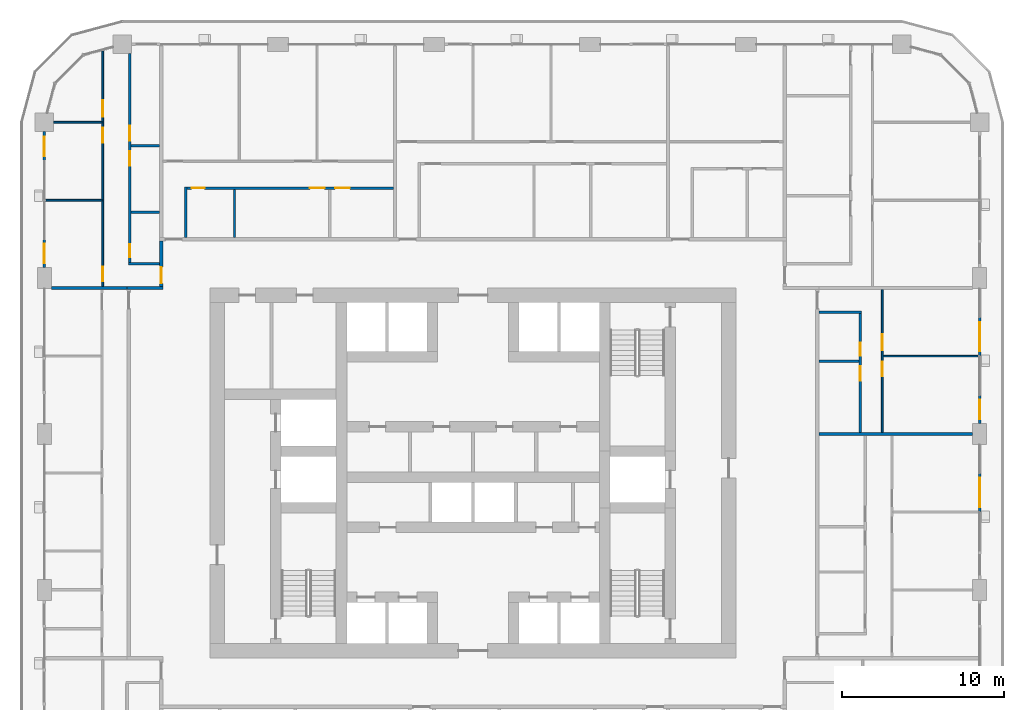
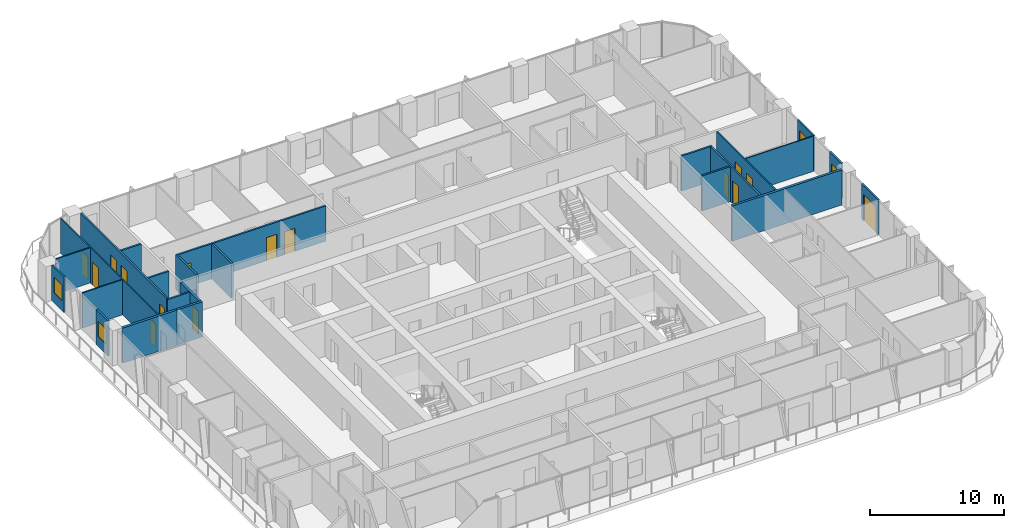
# One storey, part 13 of 21: 24 walls, 16 doors, 3 windows, 19 openings.
"""IFC4 building model written with IfcOpenShell, lengths in metres."""

from ifc_helpers import new_model, si_unit, direction, frame, frame_2d, origin, place, context, subcontext, project, spatial, rectangle, extrude, material, layer, layer_set, type_object, element, fill, save


model = new_model("IFC4")

# Units and contexts
model_context = context("Model", 3, precision=1e-05, world=origin(), true_north=direction((0.0, 1.0)))
body_context = subcontext(model_context, "Body", "Model", "MODEL_VIEW")
ifc_project = project(units=[si_unit("LENGTHUNIT", "METRE"), si_unit("AREAUNIT", "SQUARE_METRE"), si_unit("VOLUMEUNIT", "CUBIC_METRE"), si_unit("PLANEANGLEUNIT", "RADIAN"), si_unit("MASSUNIT", "GRAM", prefix="KILO")], contexts=[model_context])

# Site, building, storey
site_placement = place(None, origin())
site = spatial("IfcSite", under=ifc_project, at=site_placement, CompositionType="ELEMENT")
building_placement = place(site_placement, origin())
building = spatial("IfcBuilding", under=site, at=building_placement, Name="Madar Terraces", CompositionType="ELEMENT")
storey_placement = place(building_placement, frame((0.0, 0.0, 92.699951171875)))
storey = spatial("IfcBuildingStorey", under=building, at=storey_placement, Name="L23", CompositionType="ELEMENT", Elevation=92.699951171875)

# Wall, opening, door
ifc_material_1 = material(Name="Aluminium composite panel, black, over insulated backing", Category="aluminium")
ifc_layer_1 = layer(ifc_material_1, 0.14990234375)
ifc_layer_set_1 = layer_set([ifc_layer_1], Name="Facade bay panel 150")
wall_type_1 = type_object("IfcWallType", Name="Facade bay panel 150", PredefinedType="SOLIDWALL", material=ifc_layer_set_1)
wall_1_placement = place(storey_placement, frame((62.39990234375, 24.0, 0.0), z_axis=(0.0, 0.0, 1.0), x_axis=(0.0, 1.0, 0.0)))
wall_1 = element("IfcWall", 1, at=wall_1_placement, inside=storey, type_object=wall_type_1, Name="Facade bay panel", PredefinedType="SOLIDWALL", context=body_context, shape_type="SweptSolid", body=[
    extrude(rectangle(XDim=2.39990234375, YDim=0.14990234375, at=frame_2d((1.199951171875, 0.0))), origin(), (0.0, 0.0, 1.0), 3.199951171875),
])
opening_1_placement = place(wall_1_placement, frame((0.300048828125, 0.0, 0.0)))
opening_1 = element("IfcOpeningElement", 2, at=opening_1_placement, cuts=wall_1, Name="Opening ED1", PredefinedType="OPENING", context=body_context, shape_type="SweptSolid", body=[
    extrude(rectangle(XDim=1.800048828125, YDim=2.39990234375, at=frame_2d((0.89990234375, 1.199951171875))), frame((0.0, 0.0849609375, 0.0), z_axis=(0.0, -1.0, 0.0), x_axis=(1.0, 0.0, 0.0)), (0.0, 0.0, 1.0), 0.169921875),
])
ifc_material_2 = material(Name="Glass, clear, with black aluminium frame", Category="aluminium")
door_type_1 = type_object("IfcDoorType", Name="Balcony and terrace sliding door 1800 x 2400", OperationType="SLIDING_TO_LEFT", PredefinedType="DOOR", material=ifc_material_2)
door_1_placement = place(opening_1_placement, origin())
door_1 = element("IfcDoor", 3, at=door_1_placement, inside=storey, type_object=door_type_1, Name="Balcony door", OperationType="SLIDING_TO_RIGHT", OverallHeight=2.39990234375, OverallWidth=1.800048828125, PredefinedType="DOOR", context=body_context, shape_type="SweptSolid", body=[
    extrude(rectangle(XDim=1.800048828125, YDim=2.39990234375, at=frame_2d((0.89990234375, 1.199951171875))), frame((0.0, 0.02490234375, 0.0), z_axis=(0.0, -1.0, 0.0), x_axis=(1.0, 0.0, 0.0)), (0.0, 0.0, 1.0), 0.050048828125),
])
fill(opening_1, door_1)

# Wall, opening, window
wall_2_placement = place(storey_placement, frame((62.39990234375, 29.449951171875, 0.0), z_axis=(0.0, 0.0, 1.0), x_axis=(0.0, 1.0, 0.0)))
wall_2 = element("IfcWall", 4, at=wall_2_placement, inside=storey, type_object=wall_type_1, Name="Facade bay panel", PredefinedType="SOLIDWALL", context=body_context, shape_type="SweptSolid", body=[
    extrude(rectangle(XDim=1.75, YDim=0.14990234375, at=frame_2d((0.875, 0.0))), origin(), (0.0, 0.0, 1.0), 3.199951171875),
])
opening_2_placement = place(wall_2_placement, frame((0.27490234375, 0.0, 0.89990234375)))
opening_2 = element("IfcOpeningElement", 5, at=opening_2_placement, cuts=wall_2, Name="Opening W1", PredefinedType="OPENING", context=body_context, shape_type="SweptSolid", body=[
    extrude(rectangle(XDim=1.199951171875, YDim=1.39990234375, at=frame_2d((0.60009765625, 0.699951171875))), frame((0.0, 0.0849609375, 0.0), z_axis=(0.0, -1.0, 0.0), x_axis=(1.0, 0.0, 0.0)), (0.0, 0.0, 1.0), 0.169921875),
])
ifc_material_3 = material(Name="Glass, clear, with black aluminium frame", Category="aluminium")
window_type = type_object("IfcWindowType", Name="Vent window 1200 x 1400", PartitioningType="SINGLE_PANEL", PredefinedType="WINDOW", material=ifc_material_3)
window_1_placement = place(opening_2_placement, origin())
window_1 = element("IfcWindow", 6, at=window_1_placement, inside=storey, type_object=window_type, Name="Operable vent window", OverallHeight=1.39990234375, OverallWidth=1.199951171875, PartitioningType="SINGLE_PANEL", PredefinedType="WINDOW", context=body_context, shape_type="SweptSolid", body=[
    extrude(rectangle(XDim=1.199951171875, YDim=1.39990234375, at=frame_2d((0.60009765625, 0.699951171875))), frame((0.0, 0.030029296875, 0.0), z_axis=(0.0, -1.0, 0.0), x_axis=(1.0, 0.0, 0.0)), (0.0, 0.0, 1.0), 0.06005859375),
])
fill(opening_2, window_1)

# Wall, opening, door
wall_3_placement = place(storey_placement, frame((62.39990234375, 33.60009765625, 0.0), z_axis=(0.0, 0.0, 1.0), x_axis=(0.0, 1.0, 0.0)))
wall_3 = element("IfcWall", 7, at=wall_3_placement, inside=storey, type_object=wall_type_1, Name="Facade bay panel", PredefinedType="SOLIDWALL", context=body_context, shape_type="SweptSolid", body=[
    extrude(rectangle(XDim=2.39990234375, YDim=0.14990234375, at=frame_2d((1.199951171875, 0.0))), origin(), (0.0, 0.0, 1.0), 3.199951171875),
])
opening_3_placement = place(wall_3_placement, frame((0.300048828125, 0.0, 0.0)))
opening_3 = element("IfcOpeningElement", 8, at=opening_3_placement, cuts=wall_3, Name="Opening ED1", PredefinedType="OPENING", context=body_context, shape_type="SweptSolid", body=[
    extrude(rectangle(XDim=1.800048828125, YDim=2.39990234375, at=frame_2d((0.89990234375, 1.199951171875))), frame((0.0, 0.0849609375, 0.0), z_axis=(0.0, -1.0, 0.0), x_axis=(1.0, 0.0, 0.0)), (0.0, 0.0, 1.0), 0.169921875),
])
door_2_placement = place(opening_3_placement, origin())
door_2 = element("IfcDoor", 9, at=door_2_placement, inside=storey, type_object=door_type_1, Name="Balcony door", OperationType="SLIDING_TO_LEFT", OverallHeight=2.39990234375, OverallWidth=1.800048828125, PredefinedType="DOOR", context=body_context, shape_type="SweptSolid", body=[
    extrude(rectangle(XDim=1.800048828125, YDim=2.39990234375, at=frame_2d((0.89990234375, 1.199951171875))), frame((0.0, 0.02490234375, 0.0), z_axis=(0.0, -1.0, 0.0), x_axis=(1.0, 0.0, 0.0)), (0.0, 0.0, 1.0), 0.050048828125),
])
fill(opening_3, door_2)

# Wall, opening, window
wall_4_placement = place(storey_placement, frame((4.800048828125, 47.425048828125, 0.0), z_axis=(0.0, 0.0, 1.0), x_axis=(0.0, -1.0, 0.0)))
wall_4 = element("IfcWall", 10, at=wall_4_placement, inside=storey, type_object=wall_type_1, Name="Facade bay panel", PredefinedType="SOLIDWALL", context=body_context, shape_type="SweptSolid", body=[
    extrude(rectangle(XDim=1.824951171875, YDim=0.14990234375, at=frame_2d((0.91259765625, 0.0))), origin(), (0.0, 0.0, 1.0), 3.199951171875),
])
opening_4_placement = place(wall_4_placement, frame((0.3125, 0.0, 0.89990234375)))
opening_4 = element("IfcOpeningElement", 11, at=opening_4_placement, cuts=wall_4, Name="Opening W1", PredefinedType="OPENING", context=body_context, shape_type="SweptSolid", body=[
    extrude(rectangle(XDim=1.199951171875, YDim=1.39990234375, at=frame_2d((0.60009765625, 0.699951171875))), frame((0.0, 0.0849609375, 0.0), z_axis=(0.0, -1.0, 0.0), x_axis=(1.0, 0.0, 0.0)), (0.0, 0.0, 1.0), 0.169921875),
])
window_2_placement = place(opening_4_placement, origin())
window_2 = element("IfcWindow", 12, at=window_2_placement, inside=storey, type_object=window_type, Name="Operable vent window", OverallHeight=1.39990234375, OverallWidth=1.199951171875, PartitioningType="SINGLE_PANEL", PredefinedType="WINDOW", context=body_context, shape_type="SweptSolid", body=[
    extrude(rectangle(XDim=1.199951171875, YDim=1.39990234375, at=frame_2d((0.60009765625, 0.699951171875))), frame((0.0, 0.030029296875, 0.0), z_axis=(0.0, -1.0, 0.0), x_axis=(1.0, 0.0, 0.0)), (0.0, 0.0, 1.0), 0.06005859375),
])
fill(opening_4, window_2)

wall_5_placement = place(storey_placement, frame((4.800048828125, 40.800048828125, 0.0), z_axis=(0.0, 0.0, 1.0), x_axis=(0.0, -1.0, 0.0)))
wall_5 = element("IfcWall", 13, at=wall_5_placement, inside=storey, type_object=wall_type_1, Name="Facade bay panel", PredefinedType="SOLIDWALL", context=body_context, shape_type="SweptSolid", body=[
    extrude(rectangle(XDim=1.75, YDim=0.14990234375, at=frame_2d((0.875, 0.0))), origin(), (0.0, 0.0, 1.0), 3.199951171875),
])
opening_5_placement = place(wall_5_placement, frame((0.27490234375, 0.0, 0.89990234375)))
opening_5 = element("IfcOpeningElement", 14, at=opening_5_placement, cuts=wall_5, Name="Opening W1", PredefinedType="OPENING", context=body_context, shape_type="SweptSolid", body=[
    extrude(rectangle(XDim=1.199951171875, YDim=1.39990234375, at=frame_2d((0.60009765625, 0.699951171875))), frame((0.0, 0.0849609375, 0.0), z_axis=(0.0, -1.0, 0.0), x_axis=(1.0, 0.0, 0.0)), (0.0, 0.0, 1.0), 0.169921875),
])
window_3_placement = place(opening_5_placement, origin())
window_3 = element("IfcWindow", 15, at=window_3_placement, inside=storey, type_object=window_type, Name="Operable vent window", OverallHeight=1.39990234375, OverallWidth=1.199951171875, PartitioningType="SINGLE_PANEL", PredefinedType="WINDOW", context=body_context, shape_type="SweptSolid", body=[
    extrude(rectangle(XDim=1.199951171875, YDim=1.39990234375, at=frame_2d((0.60009765625, 0.699951171875))), frame((0.0, 0.030029296875, 0.0), z_axis=(0.0, -1.0, 0.0), x_axis=(1.0, 0.0, 0.0)), (0.0, 0.0, 1.0), 0.06005859375),
])
fill(opening_5, window_3)

# Wall
ifc_material_4 = material(Name="Gypsum board on steel studs", Category="steel")
ifc_layer_2 = layer(ifc_material_4, 0.10009765625)
ifc_layer_set_2 = layer_set([ifc_layer_2], Name="Flat partition 100")
wall_type_2 = type_object("IfcWallType", Name="Flat partition 100", PredefinedType="PARTITIONING", material=ifc_layer_set_2)
wall_6_placement = place(storey_placement, frame((56.449951171875, 33.60009765625, 0.0), z_axis=(0.0, 0.0, 1.0), x_axis=(1.0, 0.0, 0.0)))
element("IfcWall", 16, at=wall_6_placement, inside=storey, type_object=wall_type_2, Name="Flat partition 100", PredefinedType="PARTITIONING", context=body_context, shape_type="SweptSolid", body=[
    extrude(rectangle(XDim=5.85009765625, YDim=0.10009765625, at=frame_2d((2.925048828125, 0.0))), origin(), (0.0, 0.0, 1.0), 3.199951171875),
])

# Wall, openings, doors
wall_7_placement = place(storey_placement, frame((56.39990234375, 37.699951171875, 0.0), z_axis=(0.0, 0.0, 1.0), x_axis=(0.0, -1.0, 0.0)))
wall_7 = element("IfcWall", 17, at=wall_7_placement, inside=storey, type_object=wall_type_2, Name="Flat partition 100", PredefinedType="PARTITIONING", context=body_context, shape_type="SweptSolid", body=[
    extrude(rectangle(XDim=8.800048828125, YDim=0.10009765625, at=frame_2d((4.39990234375, 0.0))), origin(), (0.0, 0.0, 1.0), 3.199951171875),
])
opening_6_placement = place(wall_7_placement, frame((2.75, 0.0, 0.0)))
opening_6 = element("IfcOpeningElement", 18, at=opening_6_placement, cuts=wall_7, Name="Opening D3", PredefinedType="OPENING", context=body_context, shape_type="SweptSolid", body=[
    extrude(rectangle(XDim=1.0, YDim=2.10009765625, at=frame_2d((0.5, 1.050048828125))), frame((0.0, 0.06005859375, 0.0), z_axis=(0.0, -1.0, 0.0), x_axis=(1.0, 0.0, 0.0)), (0.0, 0.0, 1.0), 0.1201171875),
])
opening_7_placement = place(wall_7_placement, frame((4.449951171875, 0.0, 0.0)))
opening_7 = element("IfcOpeningElement", 19, at=opening_7_placement, cuts=wall_7, Name="Opening D2", PredefinedType="OPENING", context=body_context, shape_type="SweptSolid", body=[
    extrude(rectangle(XDim=0.89990234375, YDim=2.10009765625, at=frame_2d((0.449951171875, 1.050048828125))), frame((0.0, 0.06005859375, 0.0), z_axis=(0.0, -1.0, 0.0), x_axis=(1.0, 0.0, 0.0)), (0.0, 0.0, 1.0), 0.1201171875),
])
ifc_material_5 = material(Name="Timber door leaf", Category="wood")
door_type_2 = type_object("IfcDoorType", Name="Flat living room door 1000", OperationType="NOTDEFINED", PredefinedType="DOOR", material=ifc_material_5)
door_3_placement = place(opening_6_placement, origin())
door_3 = element("IfcDoor", 20, at=door_3_placement, inside=storey, type_object=door_type_2, Name="Flat living room door 1000", OperationType="SINGLE_SWING_RIGHT", OverallHeight=2.10009765625, OverallWidth=1.0, PredefinedType="DOOR", context=body_context, shape_type="SweptSolid", body=[
    extrude(rectangle(XDim=1.0, YDim=2.10009765625, at=frame_2d((0.5, 1.050048828125))), frame((0.0, 0.02490234375, 0.0), z_axis=(0.0, -1.0, 0.0), x_axis=(1.0, 0.0, 0.0)), (0.0, 0.0, 1.0), 0.050048828125),
])
fill(opening_6, door_3)
ifc_material_6 = material(Name="Timber door leaf", Category="wood")
door_type_3 = type_object("IfcDoorType", Name="Flat room door 900", OperationType="NOTDEFINED", PredefinedType="DOOR", material=ifc_material_6)
door_4_placement = place(opening_7_placement, origin())
door_4 = element("IfcDoor", 21, at=door_4_placement, inside=storey, type_object=door_type_3, Name="Flat room door 900", OperationType="SINGLE_SWING_LEFT", OverallHeight=2.10009765625, OverallWidth=0.89990234375, PredefinedType="DOOR", context=body_context, shape_type="SweptSolid", body=[
    extrude(rectangle(XDim=0.89990234375, YDim=2.10009765625, at=frame_2d((0.449951171875, 1.050048828125))), frame((0.0, 0.02490234375, 0.0), z_axis=(0.0, -1.0, 0.0), x_axis=(1.0, 0.0, 0.0)), (0.0, 0.0, 1.0), 0.050048828125),
])
fill(opening_7, door_4)

# Walls
wall_8_placement = place(storey_placement, frame((8.35009765625, 43.199951171875, 0.0), z_axis=(0.0, 0.0, 1.0), x_axis=(-1.0, 0.0, 0.0)))
element("IfcWall", 22, at=wall_8_placement, inside=storey, type_object=wall_type_2, Name="Flat partition 100", PredefinedType="PARTITIONING", context=body_context, shape_type="SweptSolid", body=[
    extrude(rectangle(XDim=3.4501953125, YDim=0.10009765625, at=frame_2d((1.72509765625, 0.0))), origin(), (0.0, 0.0, 1.0), 3.199951171875),
])
wall_9_placement = place(storey_placement, frame((8.35009765625, 48.0, 0.0), z_axis=(0.0, 0.0, 1.0), x_axis=(-1.0, 0.0, 0.0)))
element("IfcWall", 23, at=wall_9_placement, inside=storey, type_object=wall_type_2, Name="Flat partition 100", PredefinedType="PARTITIONING", context=body_context, shape_type="SweptSolid", body=[
    extrude(rectangle(XDim=2.97509765625, YDim=0.10009765625, at=frame_2d((1.487548828125, 0.0))), origin(), (0.0, 0.0, 1.0), 3.199951171875),
])

# Wall, openings, doors
wall_10_placement = place(storey_placement, frame((8.39990234375, 37.89990234375, 0.0), z_axis=(0.0, 0.0, 1.0), x_axis=(0.0, 1.0, 0.0)))
wall_10 = element("IfcWall", 24, at=wall_10_placement, inside=storey, type_object=wall_type_2, Name="Flat partition 100", PredefinedType="PARTITIONING", context=body_context, shape_type="SweptSolid", body=[
    extrude(rectangle(XDim=14.478515625, YDim=0.10009765625, at=frame_2d((7.2392578125, 0.0))), origin(), (0.0, 0.0, 1.0), 3.199951171875),
])
opening_8_placement = place(wall_10_placement, frame((0.300048828125, 0.0, 0.0)))
opening_8 = element("IfcOpeningElement", 25, at=opening_8_placement, cuts=wall_10, Name="Opening D2", PredefinedType="OPENING", context=body_context, shape_type="SweptSolid", body=[
    extrude(rectangle(XDim=0.89990234375, YDim=2.10009765625, at=frame_2d((0.449951171875, 1.050048828125))), frame((0.0, 0.06005859375, 0.0), z_axis=(0.0, -1.0, 0.0), x_axis=(1.0, 0.0, 0.0)), (0.0, 0.0, 1.0), 0.1201171875),
])
opening_9_placement = place(wall_10_placement, frame((8.85009765625, 0.0, 0.0)))
opening_9 = element("IfcOpeningElement", 26, at=opening_9_placement, cuts=wall_10, Name="Opening D2", PredefinedType="OPENING", context=body_context, shape_type="SweptSolid", body=[
    extrude(rectangle(XDim=0.89990234375, YDim=2.10009765625, at=frame_2d((0.449951171875, 1.050048828125))), frame((0.0, 0.06005859375, 0.0), z_axis=(0.0, -1.0, 0.0), x_axis=(1.0, 0.0, 0.0)), (0.0, 0.0, 1.0), 0.1201171875),
])
opening_10_placement = place(wall_10_placement, frame((10.449951171875, 0.0, 0.0)))
opening_10 = element("IfcOpeningElement", 27, at=opening_10_placement, cuts=wall_10, Name="Opening D3", PredefinedType="OPENING", context=body_context, shape_type="SweptSolid", body=[
    extrude(rectangle(XDim=1.0, YDim=2.10009765625, at=frame_2d((0.5, 1.050048828125))), frame((0.0, 0.06005859375, 0.0), z_axis=(0.0, -1.0, 0.0), x_axis=(1.0, 0.0, 0.0)), (0.0, 0.0, 1.0), 0.1201171875),
])
door_5_placement = place(opening_10_placement, origin())
door_5 = element("IfcDoor", 28, at=door_5_placement, inside=storey, type_object=door_type_2, Name="Flat living room door 1000", OperationType="SINGLE_SWING_LEFT", OverallHeight=2.10009765625, OverallWidth=1.0, PredefinedType="DOOR", context=body_context, shape_type="SweptSolid", body=[
    extrude(rectangle(XDim=1.0, YDim=2.10009765625, at=frame_2d((0.5, 1.050048828125))), frame((0.0, 0.02490234375, 0.0), z_axis=(0.0, -1.0, 0.0), x_axis=(1.0, 0.0, 0.0)), (0.0, 0.0, 1.0), 0.050048828125),
])
fill(opening_10, door_5)
door_6_placement = place(opening_8_placement, origin())
door_6 = element("IfcDoor", 29, at=door_6_placement, inside=storey, type_object=door_type_3, Name="Flat room door 900", OperationType="SINGLE_SWING_LEFT", OverallHeight=2.10009765625, OverallWidth=0.89990234375, PredefinedType="DOOR", context=body_context, shape_type="SweptSolid", body=[
    extrude(rectangle(XDim=0.89990234375, YDim=2.10009765625, at=frame_2d((0.449951171875, 1.050048828125))), frame((0.0, 0.02490234375, 0.0), z_axis=(0.0, -1.0, 0.0), x_axis=(1.0, 0.0, 0.0)), (0.0, 0.0, 1.0), 0.050048828125),
])
fill(opening_8, door_6)
door_7_placement = place(opening_9_placement, origin())
door_7 = element("IfcDoor", 30, at=door_7_placement, inside=storey, type_object=door_type_3, Name="Flat room door 900", OperationType="SINGLE_SWING_RIGHT", OverallHeight=2.10009765625, OverallWidth=0.89990234375, PredefinedType="DOOR", context=body_context, shape_type="SweptSolid", body=[
    extrude(rectangle(XDim=0.89990234375, YDim=2.10009765625, at=frame_2d((0.449951171875, 1.050048828125))), frame((0.0, 0.02490234375, 0.0), z_axis=(0.0, -1.0, 0.0), x_axis=(1.0, 0.0, 0.0)), (0.0, 0.0, 1.0), 0.050048828125),
])
fill(opening_9, door_7)

# Wall, opening, door
ifc_material_7 = material(Name="Lightweight blockwork", Category="masonry")
ifc_layer_3 = layer(ifc_material_7, 0.199951171875)
ifc_layer_set_3 = layer_set([ifc_layer_3], Name="Flat party and entrance wall 200")
wall_type_3 = type_object("IfcWallType", Name="Flat party and entrance wall 200", PredefinedType="PARTITIONING", material=ifc_layer_set_3)
wall_11_placement = place(storey_placement, frame((12.0, 37.89990234375, 0.0), z_axis=(0.0, 0.0, 1.0), x_axis=(0.0, 1.0, 0.0)))
wall_11 = element("IfcWall", 31, at=wall_11_placement, inside=storey, type_object=wall_type_3, Name="Flat party and entrance wall 200", PredefinedType="PARTITIONING", context=body_context, shape_type="SweptSolid", body=[
    extrude(rectangle(XDim=2.800048828125, YDim=0.199951171875, at=frame_2d((1.39990234375, 0.0))), origin(), (0.0, 0.0, 1.0), 3.199951171875),
])
opening_11_placement = place(wall_11_placement, frame((0.175048828125, 0.0, 0.0)))
opening_11 = element("IfcOpeningElement", 32, at=opening_11_placement, cuts=wall_11, Name="Opening D1", PredefinedType="OPENING", context=body_context, shape_type="SweptSolid", body=[
    extrude(rectangle(XDim=1.0, YDim=2.10009765625, at=frame_2d((0.5, 1.050048828125))), frame((0.0, 0.10986328125, 0.0), z_axis=(0.0, -1.0, 0.0), x_axis=(1.0, 0.0, 0.0)), (0.0, 0.0, 1.0), 0.219970703125),
])
ifc_material_8 = material(Name="Timber fire door leaf", Category="wood")
door_type_4 = type_object("IfcDoorType", Name="Flat entrance door 1000 FD30S", OperationType="NOTDEFINED", PredefinedType="DOOR", material=ifc_material_8)
door_8_placement = place(opening_11_placement, origin())
door_8 = element("IfcDoor", 33, at=door_8_placement, inside=storey, type_object=door_type_4, Name="Flat entrance door 1000 FD30S", OperationType="SINGLE_SWING_LEFT", OverallHeight=2.10009765625, OverallWidth=1.0, PredefinedType="DOOR", context=body_context, shape_type="SweptSolid", body=[
    extrude(rectangle(XDim=1.0, YDim=2.10009765625, at=frame_2d((0.5, 1.050048828125))), frame((0.0, 0.02490234375, 0.0), z_axis=(0.0, -1.0, 0.0), x_axis=(1.0, 0.0, 0.0)), (0.0, 0.0, 1.0), 0.050048828125),
])
fill(opening_11, door_8)

# Walls
wall_12_placement = place(storey_placement, frame((12.10009765625, 37.800048828125, 0.0), z_axis=(0.0, 0.0, 1.0), x_axis=(-1.0, 0.0, 0.0)))
element("IfcWall", 34, at=wall_12_placement, inside=storey, type_object=wall_type_3, Name="Flat party and entrance wall 200", PredefinedType="PARTITIONING", context=body_context, shape_type="SweptSolid", body=[
    extrude(rectangle(XDim=2.2001953125, YDim=0.199951171875, at=frame_2d((1.10009765625, 0.0))), origin(), (0.0, 0.0, 1.0), 3.199951171875),
])
wall_13_placement = place(storey_placement, frame((52.5, 28.800048828125, 0.0), z_axis=(0.0, 0.0, 1.0), x_axis=(1.0, 0.0, 0.0)))
element("IfcWall", 35, at=wall_13_placement, inside=storey, type_object=wall_type_3, Name="Flat party and entrance wall 200", PredefinedType="PARTITIONING", context=body_context, shape_type="SweptSolid", body=[
    extrude(rectangle(XDim=9.47509765625, YDim=0.199951171875, at=frame_2d((4.737548828125, 0.0))), origin(), (0.0, 0.0, 1.0), 3.199951171875),
])
wall_14_placement = place(storey_placement, frame((5.22509765625, 37.800048828125, 0.0), z_axis=(0.0, 0.0, 1.0), x_axis=(1.0, 0.0, 0.0)))
element("IfcWall", 36, at=wall_14_placement, inside=storey, type_object=wall_type_3, Name="Flat party and entrance wall 200", PredefinedType="PARTITIONING", context=body_context, shape_type="SweptSolid", body=[
    extrude(rectangle(XDim=4.6748046875, YDim=0.199951171875, at=frame_2d((2.33740234375, 0.0))), origin(), (0.0, 0.0, 1.0), 3.199951171875),
])
ifc_material_9 = material(Name="Lightweight blockwork", Category="masonry")
ifc_layer_4 = layer(ifc_material_9, 0.14990234375)
ifc_layer_set_4 = layer_set([ifc_layer_4], Name="Flat wet-room partition 150")
wall_type_4 = type_object("IfcWallType", Name="Flat wet-room partition 150", PredefinedType="PARTITIONING", material=ifc_layer_set_4)
wall_15_placement = place(storey_placement, frame((52.5, 33.294921875, 0.0), z_axis=(0.0, 0.0, 1.0), x_axis=(1.0, 0.0, 0.0)))
element("IfcWall", 37, at=wall_15_placement, inside=storey, type_object=wall_type_4, Name="Flat wet-room partition 150", PredefinedType="PARTITIONING", context=body_context, shape_type="SweptSolid", body=[
    extrude(rectangle(XDim=2.47509765625, YDim=0.14990234375, at=frame_2d((1.237548828125, 0.0))), origin(), (0.0, 0.0, 1.0), 3.199951171875),
])
wall_16_placement = place(storey_placement, frame((52.5, 36.300048828125, 0.0), z_axis=(0.0, 0.0, 1.0), x_axis=(1.0, 0.0, 0.0)))
element("IfcWall", 38, at=wall_16_placement, inside=storey, type_object=wall_type_4, Name="Flat wet-room partition 150", PredefinedType="PARTITIONING", context=body_context, shape_type="SweptSolid", body=[
    extrude(rectangle(XDim=2.625, YDim=0.14990234375, at=frame_2d((1.3125, 0.0))), origin(), (0.0, 0.0, 1.0), 3.199951171875),
])

# Wall, openings, doors
wall_17_placement = place(storey_placement, frame((55.050048828125, 28.89990234375, 0.0), z_axis=(0.0, 0.0, 1.0), x_axis=(0.0, 1.0, 0.0)))
wall_17 = element("IfcWall", 39, at=wall_17_placement, inside=storey, type_object=wall_type_4, Name="Flat wet-room partition 150", PredefinedType="PARTITIONING", context=body_context, shape_type="SweptSolid", body=[
    extrude(rectangle(XDim=7.3251953125, YDim=0.14990234375, at=frame_2d((3.66259765625, 0.0))), origin(), (0.0, 0.0, 1.0), 3.199951171875),
])
opening_12_placement = place(wall_17_placement, frame((4.719970703125, 0.0, 0.0)))
opening_12 = element("IfcOpeningElement", 40, at=opening_12_placement, cuts=wall_17, Name="Opening D4", PredefinedType="OPENING", context=body_context, shape_type="SweptSolid", body=[
    extrude(rectangle(XDim=0.800048828125, YDim=2.10009765625, at=frame_2d((0.39990234375, 1.050048828125))), frame((0.0, 0.0849609375, 0.0), z_axis=(0.0, -1.0, 0.0), x_axis=(1.0, 0.0, 0.0)), (0.0, 0.0, 1.0), 0.169921875),
])
opening_13_placement = place(wall_17_placement, frame((3.169921875, 0.0, 0.0)))
opening_13 = element("IfcOpeningElement", 41, at=opening_13_placement, cuts=wall_17, Name="Opening D2", PredefinedType="OPENING", context=body_context, shape_type="SweptSolid", body=[
    extrude(rectangle(XDim=0.89990234375, YDim=2.10009765625, at=frame_2d((0.449951171875, 1.050048828125))), frame((0.0, 0.0849609375, 0.0), z_axis=(0.0, -1.0, 0.0), x_axis=(1.0, 0.0, 0.0)), (0.0, 0.0, 1.0), 0.169921875),
])
ifc_material_10 = material(Name="Timber door leaf", Category="wood")
door_type_5 = type_object("IfcDoorType", Name="Flat bathroom door 800", OperationType="NOTDEFINED", PredefinedType="DOOR", material=ifc_material_10)
door_9_placement = place(opening_12_placement, origin())
door_9 = element("IfcDoor", 42, at=door_9_placement, inside=storey, type_object=door_type_5, Name="Flat bathroom door 800", OperationType="SINGLE_SWING_LEFT", OverallHeight=2.10009765625, OverallWidth=0.800048828125, PredefinedType="DOOR", context=body_context, shape_type="SweptSolid", body=[
    extrude(rectangle(XDim=0.800048828125, YDim=2.10009765625, at=frame_2d((0.39990234375, 1.050048828125))), frame((0.0, 0.02490234375, 0.0), z_axis=(0.0, -1.0, 0.0), x_axis=(1.0, 0.0, 0.0)), (0.0, 0.0, 1.0), 0.050048828125),
])
fill(opening_12, door_9)
door_10_placement = place(opening_13_placement, origin())
door_10 = element("IfcDoor", 43, at=door_10_placement, inside=storey, type_object=door_type_3, Name="Flat room door 900", OperationType="SINGLE_SWING_RIGHT", OverallHeight=2.10009765625, OverallWidth=0.89990234375, PredefinedType="DOOR", context=body_context, shape_type="SweptSolid", body=[
    extrude(rectangle(XDim=0.89990234375, YDim=2.10009765625, at=frame_2d((0.449951171875, 1.050048828125))), frame((0.0, 0.02490234375, 0.0), z_axis=(0.0, -1.0, 0.0), x_axis=(1.0, 0.0, 0.0)), (0.0, 0.0, 1.0), 0.050048828125),
])
fill(opening_13, door_10)

# Walls
wall_18_placement = place(storey_placement, frame((16.511474609375, 40.89990234375, 0.0), z_axis=(0.0, 0.0, 1.0), x_axis=(0.0, 1.0, 0.0)))
element("IfcWall", 44, at=wall_18_placement, inside=storey, type_object=wall_type_4, Name="Flat wet-room partition 150", PredefinedType="PARTITIONING", context=body_context, shape_type="SweptSolid", body=[
    extrude(rectangle(XDim=2.97509765625, YDim=0.14990234375, at=frame_2d((1.487548828125, 0.0))), origin(), (0.0, 0.0, 1.0), 3.199951171875),
])
wall_19_placement = place(storey_placement, frame((13.5, 40.89990234375, 0.0), z_axis=(0.0, 0.0, 1.0), x_axis=(0.0, 1.0, 0.0)))
element("IfcWall", 45, at=wall_19_placement, inside=storey, type_object=wall_type_4, Name="Flat wet-room partition 150", PredefinedType="PARTITIONING", context=body_context, shape_type="SweptSolid", body=[
    extrude(rectangle(XDim=3.125, YDim=0.14990234375, at=frame_2d((1.5625, 0.0))), origin(), (0.0, 0.0, 1.0), 3.199951171875),
])

# Wall, openings, doors
wall_20_placement = place(storey_placement, frame((26.300048828125, 43.949951171875, 0.0), z_axis=(0.0, 0.0, 1.0), x_axis=(-1.0, 0.0, 0.0)))
wall_20 = element("IfcWall", 46, at=wall_20_placement, inside=storey, type_object=wall_type_4, Name="Flat wet-room partition 150", PredefinedType="PARTITIONING", context=body_context, shape_type="SweptSolid", body=[
    extrude(rectangle(XDim=12.72509765625, YDim=0.14990234375, at=frame_2d((6.362548828125, 0.0))), origin(), (0.0, 0.0, 1.0), 3.199951171875),
])
opening_14_placement = place(wall_20_placement, frame((11.625, 0.0, 0.0)))
opening_14 = element("IfcOpeningElement", 47, at=opening_14_placement, cuts=wall_20, Name="Opening D4", PredefinedType="OPENING", context=body_context, shape_type="SweptSolid", body=[
    extrude(rectangle(XDim=0.800048828125, YDim=2.10009765625, at=frame_2d((0.39990234375, 1.050048828125))), frame((0.0, 0.0849609375, 0.0), z_axis=(0.0, -1.0, 0.0), x_axis=(1.0, 0.0, 0.0)), (0.0, 0.0, 1.0), 0.169921875),
])
opening_15_placement = place(wall_20_placement, frame((4.240478515625, 0.0, 0.0)))
opening_15 = element("IfcOpeningElement", 48, at=opening_15_placement, cuts=wall_20, Name="Opening D2", PredefinedType="OPENING", context=body_context, shape_type="SweptSolid", body=[
    extrude(rectangle(XDim=0.89990234375, YDim=2.10009765625, at=frame_2d((0.449951171875, 1.050048828125))), frame((0.0, 0.0849609375, 0.0), z_axis=(0.0, -1.0, 0.0), x_axis=(1.0, 0.0, 0.0)), (0.0, 0.0, 1.0), 0.169921875),
])
opening_16_placement = place(wall_20_placement, frame((2.6904296875, 0.0, 0.0)))
opening_16 = element("IfcOpeningElement", 49, at=opening_16_placement, cuts=wall_20, Name="Opening D5", PredefinedType="OPENING", context=body_context, shape_type="SweptSolid", body=[
    extrude(rectangle(XDim=0.89990234375, YDim=2.10009765625, at=frame_2d((0.449951171875, 1.050048828125))), frame((0.0, 0.0849609375, 0.0), z_axis=(0.0, -1.0, 0.0), x_axis=(1.0, 0.0, 0.0)), (0.0, 0.0, 1.0), 0.169921875),
])
ifc_material_11 = material(Name="Timber door leaf", Category="wood")
door_type_6 = type_object("IfcDoorType", Name="Flat accessible bathroom door 900", OperationType="NOTDEFINED", PredefinedType="DOOR", material=ifc_material_11)
door_11_placement = place(opening_16_placement, origin())
door_11 = element("IfcDoor", 50, at=door_11_placement, inside=storey, type_object=door_type_6, Name="Flat accessible bathroom door 900", OperationType="SINGLE_SWING_RIGHT", OverallHeight=2.10009765625, OverallWidth=0.89990234375, PredefinedType="DOOR", context=body_context, shape_type="SweptSolid", body=[
    extrude(rectangle(XDim=0.89990234375, YDim=2.10009765625, at=frame_2d((0.449951171875, 1.050048828125))), frame((0.0, 0.02490234375, 0.0), z_axis=(0.0, -1.0, 0.0), x_axis=(1.0, 0.0, 0.0)), (0.0, 0.0, 1.0), 0.050048828125),
])
fill(opening_16, door_11)
door_12_placement = place(opening_14_placement, origin())
door_12 = element("IfcDoor", 51, at=door_12_placement, inside=storey, type_object=door_type_5, Name="Flat bathroom door 800", OperationType="SINGLE_SWING_RIGHT", OverallHeight=2.10009765625, OverallWidth=0.800048828125, PredefinedType="DOOR", context=body_context, shape_type="SweptSolid", body=[
    extrude(rectangle(XDim=0.800048828125, YDim=2.10009765625, at=frame_2d((0.39990234375, 1.050048828125))), frame((0.0, 0.02490234375, 0.0), z_axis=(0.0, -1.0, 0.0), x_axis=(1.0, 0.0, 0.0)), (0.0, 0.0, 1.0), 0.050048828125),
])
fill(opening_14, door_12)
door_13_placement = place(opening_15_placement, origin())
door_13 = element("IfcDoor", 52, at=door_13_placement, inside=storey, type_object=door_type_3, Name="Flat room door 900", OperationType="SINGLE_SWING_LEFT", OverallHeight=2.10009765625, OverallWidth=0.89990234375, PredefinedType="DOOR", context=body_context, shape_type="SweptSolid", body=[
    extrude(rectangle(XDim=0.89990234375, YDim=2.10009765625, at=frame_2d((0.449951171875, 1.050048828125))), frame((0.0, 0.02490234375, 0.0), z_axis=(0.0, -1.0, 0.0), x_axis=(1.0, 0.0, 0.0)), (0.0, 0.0, 1.0), 0.050048828125),
])
fill(opening_15, door_13)

# Walls
for number, where, z_axis, x_axis, name in (
    (53, (11.89990234375, 42.449951171875, 0.0), (0.0, 0.0, 1.0), (-1.0, 0.0, 0.0), "Flat wet-room partition 150"),
    (54, (11.89990234375, 46.550048828125, 0.0), (0.0, 0.0, 1.0), (-1.0, 0.0, 0.0), "Flat wet-room partition 150"),
):
    element("IfcWall", number, at=place(storey_placement, frame(where, z_axis=z_axis, x_axis=x_axis)), inside=storey, type_object=wall_type_4, Name=name, PredefinedType="PARTITIONING", context=body_context, shape_type="SweptSolid", body=[
        extrude(rectangle(XDim=1.77490234375, YDim=0.14990234375, at=frame_2d((0.887451171875, 0.0))), origin(), (0.0, 0.0, 1.0), 3.199951171875),
    ])
wall_21_placement = place(storey_placement, frame((11.89990234375, 39.300048828125, 0.0), z_axis=(0.0, 0.0, 1.0), x_axis=(-1.0, 0.0, 0.0)))
element("IfcWall", 55, at=wall_21_placement, inside=storey, type_object=wall_type_4, Name="Flat wet-room partition 150", PredefinedType="PARTITIONING", context=body_context, shape_type="SweptSolid", body=[
    extrude(rectangle(XDim=1.9248046875, YDim=0.14990234375, at=frame_2d((0.96240234375, 0.0))), origin(), (0.0, 0.0, 1.0), 3.199951171875),
])

# Wall, openings, doors
wall_22_placement = place(storey_placement, frame((10.050048828125, 52.22509765625, 0.0), z_axis=(0.0, 0.0, 1.0), x_axis=(0.0, -1.0, 0.0)))
wall_22 = element("IfcWall", 56, at=wall_22_placement, inside=storey, type_object=wall_type_4, Name="Flat wet-room partition 150", PredefinedType="PARTITIONING", context=body_context, shape_type="SweptSolid", body=[
    extrude(rectangle(XDim=12.85009765625, YDim=0.14990234375, at=frame_2d((6.425048828125, 0.0))), origin(), (0.0, 0.0, 1.0), 3.199951171875),
])
opening_17_placement = place(wall_22_placement, frame((11.75, 0.0, 0.0)))
opening_17 = element("IfcOpeningElement", 57, at=opening_17_placement, cuts=wall_22, Name="Opening D4", PredefinedType="OPENING", context=body_context, shape_type="SweptSolid", body=[
    extrude(rectangle(XDim=0.800048828125, YDim=2.10009765625, at=frame_2d((0.39990234375, 1.050048828125))), frame((0.0, 0.0849609375, 0.0), z_axis=(0.0, -1.0, 0.0), x_axis=(1.0, 0.0, 0.0)), (0.0, 0.0, 1.0), 0.169921875),
])
opening_18_placement = place(wall_22_placement, frame((6.0, 0.0, 0.0)))
opening_18 = element("IfcOpeningElement", 58, at=opening_18_placement, cuts=wall_22, Name="Opening D5", PredefinedType="OPENING", context=body_context, shape_type="SweptSolid", body=[
    extrude(rectangle(XDim=0.89990234375, YDim=2.10009765625, at=frame_2d((0.449951171875, 1.050048828125))), frame((0.0, 0.0849609375, 0.0), z_axis=(0.0, -1.0, 0.0), x_axis=(1.0, 0.0, 0.0)), (0.0, 0.0, 1.0), 0.169921875),
])
opening_19_placement = place(wall_22_placement, frame((4.449951171875, 0.0, 0.0)))
opening_19 = element("IfcOpeningElement", 59, at=opening_19_placement, cuts=wall_22, Name="Opening D2", PredefinedType="OPENING", context=body_context, shape_type="SweptSolid", body=[
    extrude(rectangle(XDim=0.89990234375, YDim=2.10009765625, at=frame_2d((0.449951171875, 1.050048828125))), frame((0.0, 0.0849609375, 0.0), z_axis=(0.0, -1.0, 0.0), x_axis=(1.0, 0.0, 0.0)), (0.0, 0.0, 1.0), 0.169921875),
])
door_14_placement = place(opening_18_placement, origin())
door_14 = element("IfcDoor", 60, at=door_14_placement, inside=storey, type_object=door_type_6, Name="Flat accessible bathroom door 900", OperationType="SINGLE_SWING_LEFT", OverallHeight=2.10009765625, OverallWidth=0.89990234375, PredefinedType="DOOR", context=body_context, shape_type="SweptSolid", body=[
    extrude(rectangle(XDim=0.89990234375, YDim=2.10009765625, at=frame_2d((0.449951171875, 1.050048828125))), frame((0.0, 0.02490234375, 0.0), z_axis=(0.0, -1.0, 0.0), x_axis=(1.0, 0.0, 0.0)), (0.0, 0.0, 1.0), 0.050048828125),
])
fill(opening_18, door_14)
door_15_placement = place(opening_17_placement, origin())
door_15 = element("IfcDoor", 61, at=door_15_placement, inside=storey, type_object=door_type_5, Name="Flat bathroom door 800", OperationType="SINGLE_SWING_RIGHT", OverallHeight=2.10009765625, OverallWidth=0.800048828125, PredefinedType="DOOR", context=body_context, shape_type="SweptSolid", body=[
    extrude(rectangle(XDim=0.800048828125, YDim=2.10009765625, at=frame_2d((0.39990234375, 1.050048828125))), frame((0.0, 0.02490234375, 0.0), z_axis=(0.0, -1.0, 0.0), x_axis=(1.0, 0.0, 0.0)), (0.0, 0.0, 1.0), 0.050048828125),
])
fill(opening_17, door_15)
door_16_placement = place(opening_19_placement, origin())
door_16 = element("IfcDoor", 62, at=door_16_placement, inside=storey, type_object=door_type_3, Name="Flat room door 900", OperationType="SINGLE_SWING_RIGHT", OverallHeight=2.10009765625, OverallWidth=0.89990234375, PredefinedType="DOOR", context=body_context, shape_type="SweptSolid", body=[
    extrude(rectangle(XDim=0.89990234375, YDim=2.10009765625, at=frame_2d((0.449951171875, 1.050048828125))), frame((0.0, 0.02490234375, 0.0), z_axis=(0.0, -1.0, 0.0), x_axis=(1.0, 0.0, 0.0)), (0.0, 0.0, 1.0), 0.050048828125),
])
fill(opening_19, door_16)

save(model, "model.ifc")
